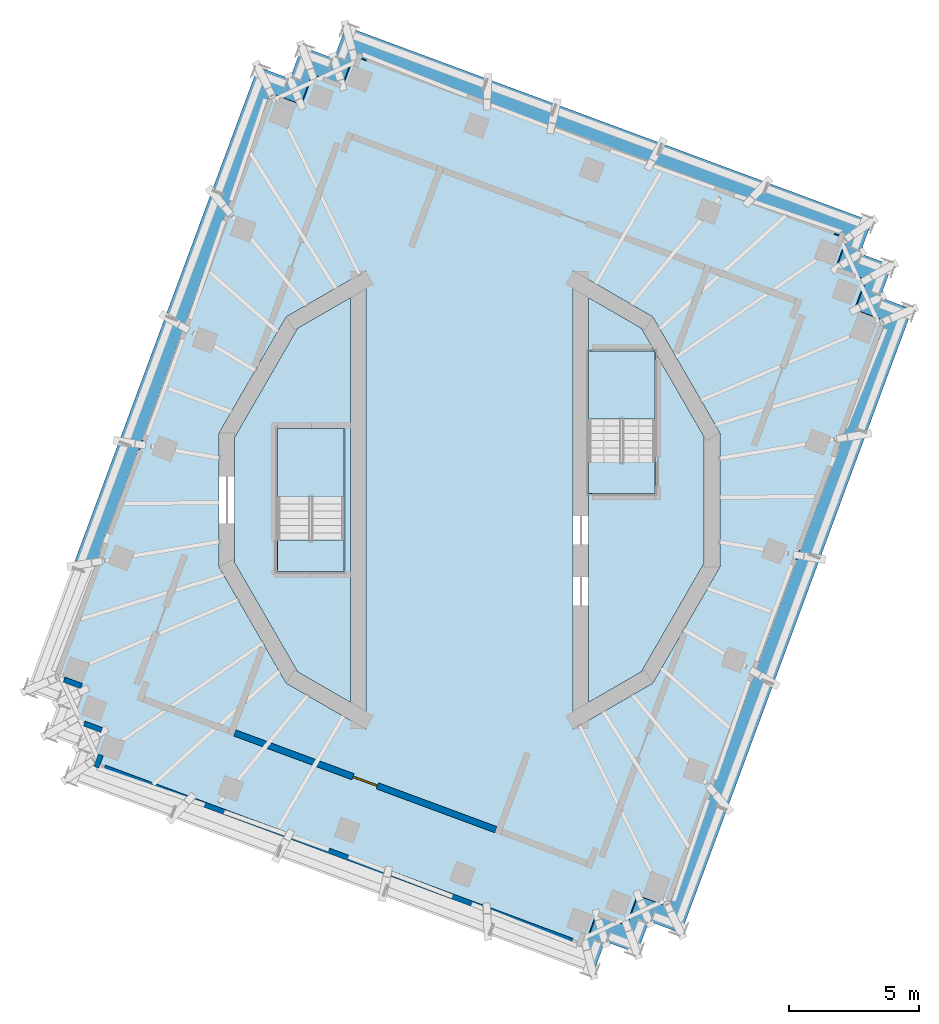
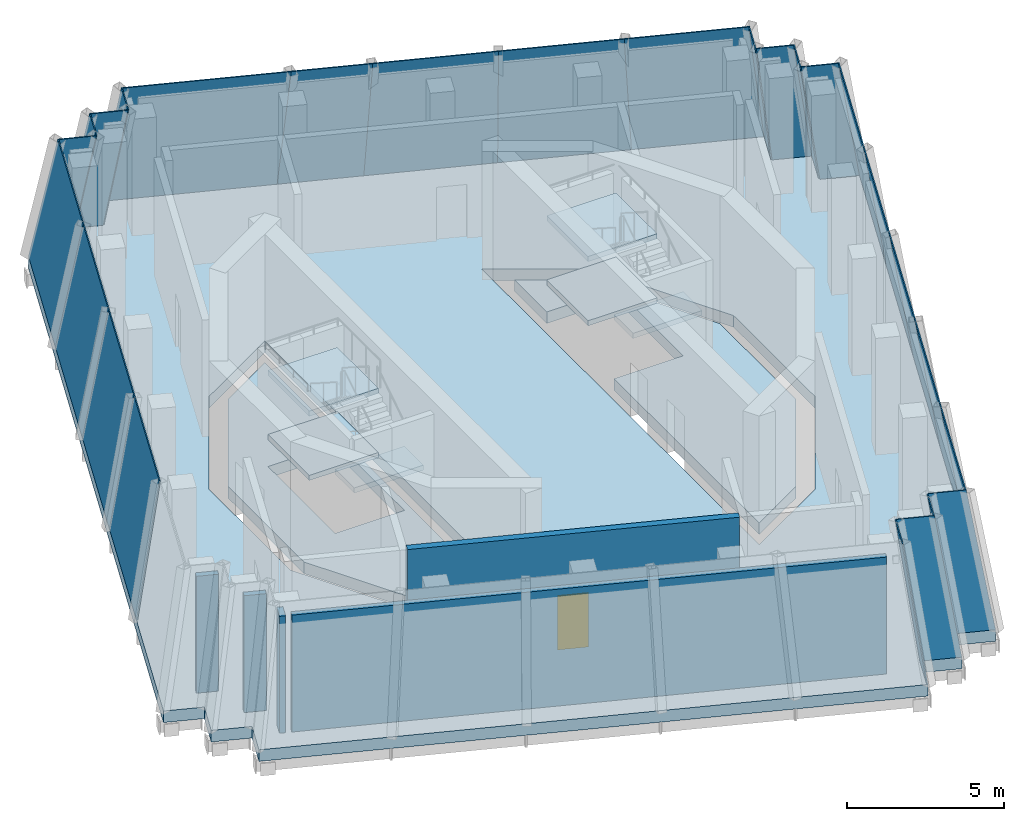
# One storey, part 4 of 13: 26 plates, 10 slabs, 5 walls, 1 door, 1 opening, 28 elements without a shape of their own.
"""IFC4 building model written with IfcOpenShell, lengths in metres."""

import ifcopenshell
import ifcopenshell.guid

model = None  # the IFC model being written
_history = None  # IfcOwnerHistory: only IFC2X3 demands one
_inside = {}  # id of a spatial element -> (the spatial element, [elements in it])
_under = {}  # id of a project, library or spatial element -> (it, [spatial elements below it])
_declared = {}  # id of a project -> (the project, [libraries it declares])
_typed = {}  # id of a type object -> (the type object, [elements of that type])
_made_of = {}  # id of a material, layer set ... -> (it, [elements and type objects made of it])


def new_model(schema):
    """Start an empty IFC model of exactly this schema.

    Asked for "IFC4X3", IfcOpenShell would pick the latest addendum, in which some entities
    have other attributes; the version numbers below select the first issue.
    IFC2X3 requires an IfcOwnerHistory on every rooted entity: one is made here for all.
    """
    global model, _history
    if schema == "IFC4X3":
        model = ifcopenshell.file(schema_version=(4, 3, 0, 0))
    else:
        model = ifcopenshell.file(schema=schema)
    _inside.clear()
    _under.clear()
    _declared.clear()
    _typed.clear()
    _made_of.clear()
    _history = None
    if model.schema == "IFC2X3":
        org = make("IfcOrganization", Name="unknown")
        user = make(
            "IfcPersonAndOrganization",
            ThePerson=make("IfcPerson", FamilyName="unknown"),
            TheOrganization=org,
        )
        app = make(
            "IfcApplication",
            ApplicationDeveloper=org,
            Version="unknown",
            ApplicationFullName="unknown",
            ApplicationIdentifier="unknown",
        )
        _history = make(
            "IfcOwnerHistory",
            OwningUser=user,
            OwningApplication=app,
            ChangeAction="ADDED",
            CreationDate=0,
        )
    return model


def make(cls, **values):
    """One entity of the class cls with the attributes given. An attribute that is None is left unset."""
    return model.create_entity(
        cls, **{name: value for name, value in values.items() if value is not None}
    )


def rooted(cls, **values):
    """An entity with a GlobalId (a new one), such as an element, a storey or a relation."""
    return make(cls, GlobalId=ifcopenshell.guid.new(), OwnerHistory=_history, **values)


def si_unit(unit_type, name, prefix=None):
    """IfcSIUnit, for example si_unit("LENGTHUNIT", "METRE", prefix="MILLI")."""
    return make("IfcSIUnit", UnitType=unit_type, Prefix=prefix, Name=name)


def assignment(units):
    """IfcUnitAssignment: the units of a project."""
    return None if units is None else make("IfcUnitAssignment", Units=units)


def point(xyz):
    """IfcCartesianPoint."""
    return None if xyz is None else make("IfcCartesianPoint", Coordinates=xyz)


def direction(xyz):
    """IfcDirection."""
    return None if xyz is None else make("IfcDirection", DirectionRatios=xyz)


def frame(location, z_axis=None, x_axis=None):
    """IfcAxis2Placement3D, a coordinate frame: its origin and axes. An axis left out is left unset."""
    return make(
        "IfcAxis2Placement3D",
        Location=point(location),
        Axis=direction(z_axis),
        RefDirection=direction(x_axis),
    )


def frame_2d(location, x_axis=None):
    """IfcAxis2Placement2D, a coordinate frame in the plane: its origin and x axis."""
    return make(
        "IfcAxis2Placement2D", Location=point(location), RefDirection=direction(x_axis)
    )


def origin():
    """The frame at (0, 0, 0) with its axes left unset."""
    return frame((0.0, 0.0, 0.0))


def place(relative_to, where):
    """IfcLocalPlacement: puts the frame where relative to a parent placement (None: the world)."""
    return make(
        "IfcLocalPlacement", PlacementRelTo=relative_to, RelativePlacement=where
    )


def context(
    kind, dimensions, precision=None, world=None, true_north=None, identifier=None
):
    """IfcGeometricRepresentationContext, for example the 3D "Model" context."""
    return make(
        "IfcGeometricRepresentationContext",
        ContextIdentifier=identifier,
        ContextType=kind,
        CoordinateSpaceDimension=dimensions,
        Precision=precision,
        WorldCoordinateSystem=world,
        TrueNorth=true_north,
    )


def subcontext(parent, identifier, kind, view, scale=None):
    """IfcGeometricRepresentationSubContext, for example "Body" below "Model"."""
    return make(
        "IfcGeometricRepresentationSubContext",
        ContextIdentifier=identifier,
        ContextType=kind,
        ParentContext=parent,
        TargetScale=scale,
        TargetView=view,
    )


def project(units=None, contexts=None):
    """IfcProject with its units and contexts."""
    return rooted(
        "IfcProject",
        Name="project",
        RepresentationContexts=contexts,
        UnitsInContext=assignment(units),
    )


def spatial(cls, under=None, at=None, **own):
    """A site, building, storey or space (cls), placed at a placement, below another one or the project."""
    s = rooted(cls, ObjectPlacement=at, **own)
    if under is not None:
        _under.setdefault(under.id(), (under, []))[1].append(s)
    return s


def polyline(points):
    """IfcPolyline through the points."""
    return make("IfcPolyline", Points=[point(p) for p in points])


def profile(cls, at=None, kind="AREA", **sizes):
    """A parametric profile (cls). Its sizes go by their IFC names, for example OverallWidth=200.0."""
    return make(cls, ProfileType=kind, Position=at, **sizes)


def rectangle(**sizes):
    """IfcRectangleProfileDef."""
    return profile("IfcRectangleProfileDef", **sizes)


def outline(outer, holes=None, kind="AREA"):
    """IfcArbitraryClosedProfileDef: a profile drawn as a closed curve; with holes, ...WithVoids."""
    if holes is None:
        return make("IfcArbitraryClosedProfileDef", ProfileType=kind, OuterCurve=outer)
    return make(
        "IfcArbitraryProfileDefWithVoids",
        ProfileType=kind,
        OuterCurve=outer,
        InnerCurves=holes,
    )


def extrude(swept, where, along, depth):
    """IfcExtrudedAreaSolid: the profile swept, set in the frame where, extruded along a direction by depth."""
    return make(
        "IfcExtrudedAreaSolid",
        SweptArea=swept,
        Position=where,
        ExtrudedDirection=direction(along),
        Depth=depth,
    )


def shape(context_of_items, identifier, shape_type, items):
    """IfcShapeRepresentation: the items that make up one representation, for example the "Body"."""
    return make(
        "IfcShapeRepresentation",
        ContextOfItems=context_of_items,
        RepresentationIdentifier=identifier,
        RepresentationType=shape_type,
        Items=items,
    )


def material(Name=None, Category=None):
    """IfcMaterial."""
    return make("IfcMaterial", Name=Name, Category=Category)


def layer(
    of_material, thickness, ventilated=None, Name=None, Category=None, Priority=None
):
    """IfcMaterialLayer: one layer of a wall or slab, of a material (None: an air gap)."""
    return make(
        "IfcMaterialLayer",
        Material=of_material,
        LayerThickness=thickness,
        IsVentilated=ventilated,
        Name=Name,
        Category=Category,
        Priority=Priority,
    )


def layer_set(layers, Name=None):
    """IfcMaterialLayerSet."""
    return make("IfcMaterialLayerSet", MaterialLayers=layers, LayerSetName=Name)


def made_of(thing, what):
    """Note that an element or type object is made of a material, layer set ...; save() writes the relation."""
    if what is not None:
        _made_of.setdefault(what.id(), (what, []))[1].append(thing)
    return thing


def type_object(cls, material=None, **own):
    """A type object (cls), such as IfcWallType, which elements share."""
    return made_of(rooted(cls, **own), material)


def element(
    cls,
    number,
    at=None,
    inside=None,
    cuts=None,
    type_object=None,
    material=None,
    context=None,
    identifier="Body",
    shape_type=None,
    held_by="IfcProductDefinitionShape",
    body=None,
    shapes=None,
    **own,
):
    """One element of the class cls, such as IfcWall. Its Tag is "e" and its number.

    at: its placement. inside: the storey or other place that contains it. cuts: it is an
    opening in that element (IfcRelVoidsElement). A single representation is given by context,
    identifier, shape_type and body (its items); several are given by shapes. held_by: the class
    of the entity that holds the representations. save() writes the other relations.
    """
    e = rooted(cls, Tag="e%d" % number, ObjectPlacement=at, **own)
    if body is not None:
        shapes = [shape(context, identifier, shape_type, body)]
    if shapes is not None:
        e.Representation = make(held_by, Representations=shapes)
    if inside is not None:
        _inside.setdefault(inside.id(), (inside, []))[1].append(e)
    if cuts is not None:
        rooted(
            "IfcRelVoidsElement", RelatingBuildingElement=cuts, RelatedOpeningElement=e
        )
    if type_object is not None:
        _typed.setdefault(type_object.id(), (type_object, []))[1].append(e)
    return made_of(e, material)


def fill(opening, filler):
    """IfcRelFillsElement: the door or window that sits in an opening."""
    return rooted(
        "IfcRelFillsElement",
        RelatingOpeningElement=opening,
        RelatedBuildingElement=filler,
    )


def aggregate(whole, parts):
    """IfcRelAggregates: a whole, such as a stair, and the parts it consists of."""
    return rooted("IfcRelAggregates", RelatingObject=whole, RelatedObjects=parts)


def save(model, path):
    """Write the relations noted so far, then the file.

    IfcRelAggregates (storeys below a building ...), IfcRelContainedInSpatialStructure (elements
    in a storey), IfcRelDefinesByType, IfcRelAssociatesMaterial and IfcRelDeclares: one each for
    every whole, place, type object, material and project.
    """
    for whole, parts in _under.values():
        aggregate(whole, parts)
    for where, things in _inside.values():
        rooted(
            "IfcRelContainedInSpatialStructure",
            RelatedElements=things,
            RelatingStructure=where,
        )
    for kind, things in _typed.values():
        rooted("IfcRelDefinesByType", RelatedObjects=things, RelatingType=kind)
    for what, things in _made_of.values():
        rooted("IfcRelAssociatesMaterial", RelatedObjects=things, RelatingMaterial=what)
    for by, libraries in _declared.values():
        rooted("IfcRelDeclares", RelatingContext=by, RelatedDefinitions=libraries)
    model.write(path)


model = new_model("IFC4")

# Units and contexts
model_context = context("Model", 3, precision=1e-05, world=origin(), true_north=direction((0.0, 1.0)))
body_context = subcontext(model_context, "Body", "Model", "MODEL_VIEW")
ifc_project = project(units=[si_unit("LENGTHUNIT", "METRE"), si_unit("AREAUNIT", "SQUARE_METRE"), si_unit("VOLUMEUNIT", "CUBIC_METRE"), si_unit("PLANEANGLEUNIT", "RADIAN"), si_unit("MASSUNIT", "GRAM", prefix="KILO")], contexts=[model_context])

# Site, building, storey
site_placement = place(None, origin())
site = spatial("IfcSite", under=ifc_project, at=site_placement, CompositionType="ELEMENT")
building_placement = place(site_placement, origin())
building = spatial("IfcBuilding", under=site, at=building_placement, Name="Cantera Rosa Tower", CompositionType="ELEMENT")
storey_placement = place(building_placement, frame((0.0, 0.0, 355.699951171875)))
storey = spatial("IfcBuildingStorey", under=building, at=storey_placement, Name="L80", CompositionType="ELEMENT", Elevation=355.699951171875)

# Curtain wall, plate
ifc_material_1 = material(Name="Aluminium frame with clear glass", Category="aluminium")
curtain_wall_type = type_object("IfcCurtainWallType", Name="CW4 CROWN GLAZING", PredefinedType="NOTDEFINED", material=ifc_material_1)
curtain_wall_1_placement = place(storey_placement, origin())
curtain_wall_1 = element("IfcCurtainWall", 1, at=curtain_wall_1_placement, inside=storey, type_object=curtain_wall_type, Name="CW4 L80-01", PredefinedType="NOTDEFINED")
ifc_material_2 = material(Name="Aluminium frame with clear glass", Category="aluminium")
ifc_layer_1 = layer(ifc_material_2, 0.0400390625)
ifc_layer_set_1 = layer_set([ifc_layer_1], Name="CW-PANEL CROWN 40")
plate_type = type_object("IfcPlateType", Name="CW-PANEL CROWN 40", PredefinedType="CURTAIN_PANEL", material=ifc_layer_set_1)
plate_1_placement = place(storey_placement, frame((15.527587890625, 10.75146484375, 0.0), z_axis=(0.341524387107, 0.92161003131, 0.184380159453), x_axis=(-0.937686834542, 0.347481510759, 2.578667e-06)))
plate_1 = element("IfcPlate", 2, at=plate_1_placement, type_object=plate_type, Name="CROWN GLAZING L80-01", PredefinedType="CURTAIN_PANEL", context=body_context, shape_type="SweptSolid", body=[
    extrude(outline(polyline([(0.0, 0.0), (4.329583847876263, 0.0), (4.7232870884310865, 5.087207986211068), (0.6561053237412898, 5.087230016379822), (0.0, 0.0)])), origin(), (0.0, 0.0, -1.0), 0.0400390625),
])
aggregate(curtain_wall_1, [plate_1])

curtain_wall_2_placement = place(storey_placement, origin())
curtain_wall_2 = element("IfcCurtainWall", 3, at=curtain_wall_2_placement, inside=storey, type_object=curtain_wall_type, Name="CW4 L80-02", PredefinedType="NOTDEFINED")
plate_2_placement = place(storey_placement, frame((11.4677734375, 12.255859375, 0.0), z_axis=(0.341525912204, 0.921614146814, 0.184356761977), x_axis=(-0.9376868345, 0.347481510874, 2.578351e-06)))
plate_2 = element("IfcPlate", 4, at=plate_2_placement, type_object=plate_type, Name="CROWN GLAZING L80-02", PredefinedType="CURTAIN_PANEL", context=body_context, shape_type="SweptSolid", body=[
    extrude(outline(polyline([(0.0, 0.0), (4.329583847876259, 5.551115123125783e-17), (4.460885003550918, 5.087185958968972), (0.39370323886110964, 5.0872079863421416), (0.0, 0.0)])), origin(), (0.0, 0.0, -1.0), 0.0400390625),
])
aggregate(curtain_wall_2, [plate_2])

curtain_wall_3_placement = place(storey_placement, origin())
curtain_wall_3 = element("IfcCurtainWall", 5, at=curtain_wall_3_placement, inside=storey, type_object=curtain_wall_type, Name="CW4 L80-03", PredefinedType="NOTDEFINED")
plate_3_placement = place(storey_placement, frame((7.407958984375, 13.76025390625, 0.0), z_axis=(0.341524603784, 0.921610616017, 0.184376835462), x_axis=(-0.937686209932, 0.347483196217, -7.003054e-06)))
plate_3 = element("IfcPlate", 6, at=plate_3_placement, type_object=plate_type, Name="CROWN GLAZING L80-03", PredefinedType="CURTAIN_PANEL", context=body_context, shape_type="SweptSolid", body=[
    extrude(outline(polyline([(0.0, 0.0), (4.329668682435224, 0.0), (4.198348493039485, 5.087247065155372), (0.13125156309289582, 5.087187236422573), (0.0, 0.0)])), origin(), (0.0, 0.0, -1.0), 0.0400390625),
])
aggregate(curtain_wall_3, [plate_3])

curtain_wall_4_placement = place(storey_placement, origin())
curtain_wall_4 = element("IfcCurtainWall", 7, at=curtain_wall_4_placement, inside=storey, type_object=curtain_wall_type, Name="CW4 L80-04", PredefinedType="NOTDEFINED")
plate_4_placement = place(storey_placement, frame((3.34814453125, 15.264892578125, 0.0), z_axis=(0.341530026043, 0.92160224963, 0.184408608225), x_axis=(-0.93768383653, 0.347489600866, -6.9255e-08)))
plate_4 = element("IfcPlate", 8, at=plate_4_placement, type_object=plate_type, Name="CROWN GLAZING L80-04", PredefinedType="CURTAIN_PANEL", context=body_context, shape_type="SweptSolid", body=[
    extrude(outline(polyline([(0.0, 0.0), (2.8075227671791056, 2.7755575615628914e-17), (2.5062113008381584, 5.087248180936371), (-0.1312919280929521, 5.087247797260858), (0.0, 0.0)])), origin(), (0.0, 0.0, -1.0), 0.0400390625),
])
aggregate(curtain_wall_4, [plate_4])

curtain_wall_5_placement = place(storey_placement, origin())
curtain_wall_5 = element("IfcCurtainWall", 9, at=curtain_wall_5_placement, inside=storey, type_object=curtain_wall_type, Name="CW4 L80-05", PredefinedType="NOTDEFINED")
plate_5_placement = place(storey_placement, frame((0.715576171875, 16.240478515625, 0.0), z_axis=(0.341512958947, 0.921611370393, 0.184394633419), x_axis=(-0.937690782112, 0.347470857967, 2.494614e-06)))
plate_5 = element("IfcPlate", 10, at=plate_5_placement, type_object=plate_type, Name="CROWN GLAZING L80-05", PredefinedType="CURTAIN_PANEL", context=body_context, shape_type="SweptSolid", body=[
    extrude(outline(polyline([(0.0, 0.0), (5.851644929958998, 5.551115123125783e-17), (5.195809332286428, 5.087221245502611), (-0.3012798951208974, 5.087250050146829), (0.0, 0.0)])), origin(), (0.0, 0.0, -1.0), 0.0400390625),
])
aggregate(curtain_wall_5, [plate_5])

curtain_wall_6_placement = place(storey_placement, origin())
curtain_wall_6 = element("IfcCurtainWall", 11, at=curtain_wall_6_placement, inside=storey, type_object=curtain_wall_type, Name="CW4 L80-06", PredefinedType="NOTDEFINED")
plate_6_placement = place(storey_placement, frame((-4.771484375, 18.273681640625, 0.0), z_axis=(-0.929716822848, 0.344542672883, 0.130065275443), x_axis=(-0.347494803307, -0.937681908575, -2.56327e-06)))
plate_6 = element("IfcPlate", 12, at=plate_6_placement, type_object=plate_type, Name="CROWN GLAZING L80-06", PredefinedType="CURTAIN_PANEL", context=body_context, shape_type="SweptSolid", body=[
    extrude(outline(polyline([(0.0, 0.0), (1.320065920870838, -1.3877787807814457e-17), (2.1780630011684123, 5.042842343983364), (0.9379489244160788, 5.042835725328031), (0.0, 0.0)])), origin(), (0.0, 0.0, -1.0), 0.0400390625),
])
aggregate(curtain_wall_6, [plate_6])

curtain_wall_7_placement = place(storey_placement, origin())
curtain_wall_7 = element("IfcCurtainWall", 13, at=curtain_wall_7_placement, inside=storey, type_object=curtain_wall_type, Name="CW4 L80-07", PredefinedType="NOTDEFINED")
plate_7_placement = place(storey_placement, frame((-5.230224609375, 17.035888671875, 0.0), z_axis=(0.342519478269, 0.924163422156, 0.169122370357), x_axis=(-0.937670640681, 0.347525207144, 2.210906e-06)))
plate_7 = element("IfcPlate", 14, at=plate_7_placement, type_object=plate_type, Name="CROWN GLAZING L80-07", PredefinedType="CURTAIN_PANEL", context=body_context, shape_type="SweptSolid", body=[
    extrude(outline(polyline([(0.0, 0.0), (1.3200659210143884, -1.3877787807814457e-17), (0.5839439131504476, 5.073076061260619), (-0.6559412385904826, 5.073081803792066), (0.0, 0.0)])), origin(), (0.0, 0.0, -1.0), 0.0400390625),
])
aggregate(curtain_wall_7, [plate_7])

curtain_wall_8_placement = place(storey_placement, origin())
curtain_wall_8 = element("IfcCurtainWall", 15, at=curtain_wall_8_placement, inside=storey, type_object=curtain_wall_type, Name="CW4 L80-08", PredefinedType="NOTDEFINED")
plate_8_placement = place(storey_placement, frame((-6.468017578125, 17.49462890625, 0.0), z_axis=(-0.927670925215, 0.343819451941, 0.145653146133), x_axis=(-0.347525299025, -0.937670606628, 1.911324e-06)))
plate_8 = element("IfcPlate", 16, at=plate_8_placement, type_object=plate_type, Name="CROWN GLAZING L80-08", PredefinedType="CURTAIN_PANEL", context=body_context, shape_type="SweptSolid", body=[
    extrude(outline(polyline([(0.0, 0.0), (1.3200659210135304, -1.3877787807814457e-17), (2.0978482763184743, 5.05389212599685), (0.8579631245750227, 5.053897071633375), (0.0, 0.0)])), origin(), (0.0, 0.0, -1.0), 0.0400390625),
])
aggregate(curtain_wall_8, [plate_8])

curtain_wall_9_placement = place(storey_placement, origin())
curtain_wall_9 = element("IfcCurtainWall", 17, at=curtain_wall_9_placement, inside=storey, type_object=curtain_wall_type, Name="CW4 L80-09", PredefinedType="NOTDEFINED")
plate_9_placement = place(storey_placement, frame((-6.9267578125, 16.2568359375, 0.0), z_axis=(0.343310307428, 0.926551452823, 0.153754473382), x_axis=(-0.937700429773, 0.347444820869, -2.1337465e-05)))
plate_9 = element("IfcPlate", 18, at=plate_9_placement, type_object=plate_type, Name="CROWN GLAZING L80-09", PredefinedType="CURTAIN_PANEL", context=body_context, shape_type="SweptSolid", body=[
    extrude(outline(polyline([(0.0, 0.0), (1.3198369865554143, 1.3877787807814457e-17), (0.5038911690264638, 5.060180939339118), (-0.7361380817109822, 5.0601256609735765), (0.0, 0.0)])), origin(), (0.0, 0.0, -1.0), 0.0400390625),
])
aggregate(curtain_wall_9, [plate_9])

curtain_wall_10_placement = place(storey_placement, origin())
curtain_wall_10 = element("IfcCurtainWall", 19, at=curtain_wall_10_placement, inside=storey, type_object=curtain_wall_type, Name="CW4 L80-10", PredefinedType="NOTDEFINED")
plate_10_placement = place(storey_placement, frame((-8.164306640625, 16.715576171875, 0.0), z_axis=(-0.92544207914, 0.342951684525, 0.161062411003), x_axis=(-0.347488841116, -0.937684118076, -2.779999e-06)))
plate_10 = element("IfcPlate", 20, at=plate_10_placement, type_object=plate_type, Name="CROWN GLAZING L80-10", PredefinedType="CURTAIN_PANEL", context=body_context, shape_type="SweptSolid", body=[
    extrude(outline(polyline([(0.0, 0.0), (5.134961454202503, 0.0), (5.601652009100558, 5.066158203202152), (0.7781542391447606, 5.066130152472176), (0.0, 0.0)])), origin(), (0.0, 0.0, -1.0), 0.0400390625),
])
aggregate(curtain_wall_10, [plate_10])

curtain_wall_11_placement = place(storey_placement, origin())
curtain_wall_11 = element("IfcCurtainWall", 21, at=curtain_wall_11_placement, inside=storey, type_object=curtain_wall_type, Name="CW4 L80-11", PredefinedType="NOTDEFINED")
plate_11_placement = place(storey_placement, frame((-9.94873046875, 11.900634765625, 0.0), z_axis=(-0.925444009041, 0.342937169978, 0.161082226142), x_axis=(-0.347474942537, -0.937689268526, -6.19535e-07)))
plate_11 = element("IfcPlate", 22, at=plate_11_placement, type_object=plate_type, Name="CROWN GLAZING L80-11", PredefinedType="CURTAIN_PANEL", context=body_context, shape_type="SweptSolid", body=[
    extrude(outline(polyline([(0.0, 0.0), (5.134647691567014, 0.0), (5.290211223705633, 5.066162345597693), (0.4667134528984506, 5.066156094540776), (0.0, 0.0)])), origin(), (0.0, 0.0, -1.0), 0.0400390625),
])
aggregate(curtain_wall_11, [plate_11])

curtain_wall_12_placement = place(storey_placement, origin())
curtain_wall_12 = element("IfcCurtainWall", 23, at=curtain_wall_12_placement, inside=storey, type_object=curtain_wall_type, Name="CW4 L80-12", PredefinedType="NOTDEFINED")
plate_12_placement = place(storey_placement, frame((-11.73291015625, 7.0859375, 0.0), z_axis=(-0.925442485218, 0.342951835011, 0.161059757281), x_axis=(-0.347487756687, -0.937684519939, 4.30674e-06)))
plate_12 = element("IfcPlate", 24, at=plate_12_placement, type_object=plate_type, Name="CROWN GLAZING L80-12", PredefinedType="CURTAIN_PANEL", context=body_context, shape_type="SweptSolid", body=[
    extrude(outline(polyline([(0.0, 0.0), (5.134876618192029, 0.0), (4.979159616989351, 5.066118474043127), (0.15557701107838792, 5.066161929868029), (0.0, 0.0)])), origin(), (0.0, 0.0, -1.0), 0.0400390625),
])
aggregate(curtain_wall_12, [plate_12])

curtain_wall_13_placement = place(storey_placement, origin())
curtain_wall_13 = element("IfcCurtainWall", 25, at=curtain_wall_13_placement, inside=storey, type_object=curtain_wall_type, Name="CW4 L80-13", PredefinedType="NOTDEFINED")
plate_13_placement = place(storey_placement, frame((-13.51708984375, 2.27099609375, 0.0), z_axis=(-0.925452481033, 0.342931343173, 0.161045953747), x_axis=(-0.347467161731, -0.937692151783, -1.973399e-06)))
plate_13 = element("IfcPlate", 26, at=plate_13_placement, type_object=plate_type, Name="CROWN GLAZING L80-13", PredefinedType="CURTAIN_PANEL", context=body_context, shape_type="SweptSolid", body=[
    extrude(outline(polyline([(0.0, 0.0), (5.134647691219501, 0.0), (4.6679962158167045, 5.066137972843688), (-0.15573048373402898, 5.066118061083357), (0.0, 0.0)])), origin(), (0.0, 0.0, -1.0), 0.0400390625),
])
aggregate(curtain_wall_13, [plate_13])

curtain_wall_14_placement = place(storey_placement, origin())
curtain_wall_14 = element("IfcCurtainWall", 27, at=curtain_wall_14_placement, inside=storey, type_object=curtain_wall_type, Name="CW4 L80-24", PredefinedType="NOTDEFINED")
plate_14_placement = place(storey_placement, frame((4.771484375, -18.273681640625, 0.0), z_axis=(0.929716822848, -0.344542672883, 0.130065275443), x_axis=(0.347494803307, 0.937681908575, -2.56327e-06)))
plate_14 = element("IfcPlate", 28, at=plate_14_placement, type_object=plate_type, Name="CROWN GLAZING L80-24", PredefinedType="CURTAIN_PANEL", context=body_context, shape_type="SweptSolid", body=[
    extrude(outline(polyline([(0.0, 0.0), (1.320065920870838, -1.3877787807814457e-17), (2.1780630011684123, 5.042842343983364), (0.9379489244160788, 5.042835725328031), (0.0, 0.0)])), origin(), (0.0, 0.0, -1.0), 0.0400390625),
])
aggregate(curtain_wall_14, [plate_14])

curtain_wall_15_placement = place(storey_placement, origin())
curtain_wall_15 = element("IfcCurtainWall", 29, at=curtain_wall_15_placement, inside=storey, type_object=curtain_wall_type, Name="CW4 L80-25", PredefinedType="NOTDEFINED")
plate_15_placement = place(storey_placement, frame((5.230224609375, -17.035888671875, 0.0), z_axis=(-0.342519478269, -0.924163422156, 0.169122370357), x_axis=(0.937670640681, -0.347525207144, 2.210906e-06)))
plate_15 = element("IfcPlate", 30, at=plate_15_placement, type_object=plate_type, Name="CROWN GLAZING L80-25", PredefinedType="CURTAIN_PANEL", context=body_context, shape_type="SweptSolid", body=[
    extrude(outline(polyline([(0.0, 0.0), (1.3200659210143884, -1.3877787807814457e-17), (0.5839439131504476, 5.073076061260619), (-0.6559412385904826, 5.073081803792066), (0.0, 0.0)])), origin(), (0.0, 0.0, -1.0), 0.0400390625),
])
aggregate(curtain_wall_15, [plate_15])

curtain_wall_16_placement = place(storey_placement, origin())
curtain_wall_16 = element("IfcCurtainWall", 31, at=curtain_wall_16_placement, inside=storey, type_object=curtain_wall_type, Name="CW4 L80-26", PredefinedType="NOTDEFINED")
plate_16_placement = place(storey_placement, frame((6.468017578125, -17.49462890625, 0.0), z_axis=(0.927670925215, -0.343819451941, 0.145653146133), x_axis=(0.347525299025, 0.937670606628, 1.911324e-06)))
plate_16 = element("IfcPlate", 32, at=plate_16_placement, type_object=plate_type, Name="CROWN GLAZING L80-26", PredefinedType="CURTAIN_PANEL", context=body_context, shape_type="SweptSolid", body=[
    extrude(outline(polyline([(0.0, 0.0), (1.3200659210135304, -1.3877787807814457e-17), (2.0978482763184743, 5.05389212599685), (0.8579631245750227, 5.053897071633375), (0.0, 0.0)])), origin(), (0.0, 0.0, -1.0), 0.0400390625),
])
aggregate(curtain_wall_16, [plate_16])

curtain_wall_17_placement = place(storey_placement, origin())
curtain_wall_17 = element("IfcCurtainWall", 33, at=curtain_wall_17_placement, inside=storey, type_object=curtain_wall_type, Name="CW4 L80-27", PredefinedType="NOTDEFINED")
plate_17_placement = place(storey_placement, frame((6.9267578125, -16.2568359375, 0.0), z_axis=(-0.343310307428, -0.926551452823, 0.153754473382), x_axis=(0.937700429773, -0.347444820869, -2.1337465e-05)))
plate_17 = element("IfcPlate", 34, at=plate_17_placement, type_object=plate_type, Name="CROWN GLAZING L80-27", PredefinedType="CURTAIN_PANEL", context=body_context, shape_type="SweptSolid", body=[
    extrude(outline(polyline([(0.0, 0.0), (1.3198369865554143, 1.3877787807814457e-17), (0.5038911690264638, 5.060180939339118), (-0.7361380817109822, 5.0601256609735765), (0.0, 0.0)])), origin(), (0.0, 0.0, -1.0), 0.0400390625),
])
aggregate(curtain_wall_17, [plate_17])

curtain_wall_18_placement = place(storey_placement, origin())
curtain_wall_18 = element("IfcCurtainWall", 35, at=curtain_wall_18_placement, inside=storey, type_object=curtain_wall_type, Name="CW4 L80-28", PredefinedType="NOTDEFINED")
plate_18_placement = place(storey_placement, frame((8.164306640625, -16.715576171875, 0.0), z_axis=(0.92544207914, -0.342951684525, 0.161062411003), x_axis=(0.347488841116, 0.937684118076, -2.779999e-06)))
plate_18 = element("IfcPlate", 36, at=plate_18_placement, type_object=plate_type, Name="CROWN GLAZING L80-28", PredefinedType="CURTAIN_PANEL", context=body_context, shape_type="SweptSolid", body=[
    extrude(outline(polyline([(0.0, 0.0), (5.134961454202503, 0.0), (5.601652009100558, 5.066158203202152), (0.7781542391447606, 5.066130152472176), (0.0, 0.0)])), origin(), (0.0, 0.0, -1.0), 0.0400390625),
])
aggregate(curtain_wall_18, [plate_18])

curtain_wall_19_placement = place(storey_placement, origin())
curtain_wall_19 = element("IfcCurtainWall", 37, at=curtain_wall_19_placement, inside=storey, type_object=curtain_wall_type, Name="CW4 L80-29", PredefinedType="NOTDEFINED")
plate_19_placement = place(storey_placement, frame((9.94873046875, -11.900634765625, 0.0), z_axis=(0.925444009041, -0.342937169978, 0.161082226142), x_axis=(0.347474942537, 0.937689268526, -6.19535e-07)))
plate_19 = element("IfcPlate", 38, at=plate_19_placement, type_object=plate_type, Name="CROWN GLAZING L80-29", PredefinedType="CURTAIN_PANEL", context=body_context, shape_type="SweptSolid", body=[
    extrude(outline(polyline([(0.0, 0.0), (5.134647691567014, 0.0), (5.290211223705633, 5.066162345597693), (0.4667134528984506, 5.066156094540776), (0.0, 0.0)])), origin(), (0.0, 0.0, -1.0), 0.0400390625),
])
aggregate(curtain_wall_19, [plate_19])

curtain_wall_20_placement = place(storey_placement, origin())
curtain_wall_20 = element("IfcCurtainWall", 39, at=curtain_wall_20_placement, inside=storey, type_object=curtain_wall_type, Name="CW4 L80-30", PredefinedType="NOTDEFINED")
plate_20_placement = place(storey_placement, frame((11.73291015625, -7.0859375, 0.0), z_axis=(0.925442485218, -0.342951835011, 0.161059757281), x_axis=(0.347487756687, 0.937684519939, 4.30674e-06)))
plate_20 = element("IfcPlate", 40, at=plate_20_placement, type_object=plate_type, Name="CROWN GLAZING L80-30", PredefinedType="CURTAIN_PANEL", context=body_context, shape_type="SweptSolid", body=[
    extrude(outline(polyline([(0.0, 0.0), (5.134876618192029, 0.0), (4.979159616989351, 5.066118474043127), (0.15557701107838792, 5.066161929868029), (0.0, 0.0)])), origin(), (0.0, 0.0, -1.0), 0.0400390625),
])
aggregate(curtain_wall_20, [plate_20])

curtain_wall_21_placement = place(storey_placement, origin())
curtain_wall_21 = element("IfcCurtainWall", 41, at=curtain_wall_21_placement, inside=storey, type_object=curtain_wall_type, Name="CW4 L80-31", PredefinedType="NOTDEFINED")
plate_21_placement = place(storey_placement, frame((13.51708984375, -2.27099609375, 0.0), z_axis=(0.925452481033, -0.342931343173, 0.161045953747), x_axis=(0.347467161731, 0.937692151783, -1.973399e-06)))
plate_21 = element("IfcPlate", 42, at=plate_21_placement, type_object=plate_type, Name="CROWN GLAZING L80-31", PredefinedType="CURTAIN_PANEL", context=body_context, shape_type="SweptSolid", body=[
    extrude(outline(polyline([(0.0, 0.0), (5.134647691219501, 0.0), (4.6679962158167045, 5.066137972843688), (-0.15573048373402898, 5.066118061083357), (0.0, 0.0)])), origin(), (0.0, 0.0, -1.0), 0.0400390625),
])
aggregate(curtain_wall_21, [plate_21])

curtain_wall_22_placement = place(storey_placement, origin())
curtain_wall_22 = element("IfcCurtainWall", 43, at=curtain_wall_22_placement, inside=storey, type_object=curtain_wall_type, Name="CW4 L80-32", PredefinedType="NOTDEFINED")
plate_22_placement = place(storey_placement, frame((15.30126953125, 2.543701171875, 0.0), z_axis=(0.925440395238, -0.342951060503, 0.161073414819), x_axis=(0.347488841174, 0.937684118055, -2.780184e-06)))
plate_22 = element("IfcPlate", 44, at=plate_22_placement, type_object=plate_type, Name="CROWN GLAZING L80-32", PredefinedType="CURTAIN_PANEL", context=body_context, shape_type="SweptSolid", body=[
    extrude(outline(polyline([(0.0, 0.0), (5.1349614542025055, 0.0), (4.356823396070112, 5.066163915831085), (-0.466674373885678, 5.0661358631846785), (0.0, 0.0)])), origin(), (0.0, 0.0, -1.0), 0.0400390625),
])
aggregate(curtain_wall_22, [plate_22])

curtain_wall_23_placement = place(storey_placement, origin())
curtain_wall_23 = element("IfcCurtainWall", 45, at=curtain_wall_23_placement, inside=storey, type_object=curtain_wall_type, Name="CW4 L80-33", PredefinedType="NOTDEFINED")
plate_23_placement = place(storey_placement, frame((17.085693359375, 7.358642578125, 0.0), z_axis=(0.343391967421, 0.926517514732, 0.153776628934), x_axis=(-0.93767061784, 0.347525268772, 2.015414e-06)))
plate_23 = element("IfcPlate", 46, at=plate_23_placement, type_object=plate_type, Name="CROWN GLAZING L80-33", PredefinedType="CURTAIN_PANEL", context=body_context, shape_type="SweptSolid", body=[
    extrude(outline(polyline([(0.0, 0.0), (1.3200659210138128, -1.3877787807814457e-17), (2.055976794935892, 5.060183519779144), (0.816091643193271, 5.060188741247632), (0.0, 0.0)])), origin(), (0.0, 0.0, -1.0), 0.0400390625),
])
aggregate(curtain_wall_23, [plate_23])

curtain_wall_24_placement = place(storey_placement, origin())
curtain_wall_24 = element("IfcCurtainWall", 47, at=curtain_wall_24_placement, inside=storey, type_object=curtain_wall_type, Name="CW4 L80-34", PredefinedType="NOTDEFINED")
plate_24_placement = place(storey_placement, frame((15.847900390625, 7.8173828125, 0.0), z_axis=(0.927674881421, -0.343820918216, 0.145624484815), x_axis=(0.347526577352, 0.937670132818, -7.350322e-06)))
plate_24 = element("IfcPlate", 48, at=plate_24_placement, type_object=plate_type, Name="CROWN GLAZING L80-34", PredefinedType="CURTAIN_PANEL", context=body_context, shape_type="SweptSolid", body=[
    extrude(outline(polyline([(0.0, 0.0), (1.3198369975834208, 1.3877787807814457e-17), (0.4619554282078014, 5.053878058036418), (-0.7781586468998851, 5.053859038825428), (0.0, 0.0)])), origin(), (0.0, 0.0, -1.0), 0.0400390625),
])
aggregate(curtain_wall_24, [plate_24])

curtain_wall_25_placement = place(storey_placement, origin())
curtain_wall_25 = element("IfcCurtainWall", 49, at=curtain_wall_25_placement, inside=storey, type_object=curtain_wall_type, Name="CW4 L80-35", PredefinedType="NOTDEFINED")
plate_25_placement = place(storey_placement, frame((16.306640625, 9.054931640625, 0.0), z_axis=(0.342407039828, 0.924207637286, 0.169108433434), x_axis=(-0.937712008934, 0.347413569062, -1.821691e-05)))
plate_25 = element("IfcPlate", 50, at=plate_25_placement, type_object=plate_type, Name="CROWN GLAZING L80-35", PredefinedType="CURTAIN_PANEL", context=body_context, shape_type="SweptSolid", body=[
    extrude(outline(polyline([(0.0, 0.0), (1.3200659134679675, 1.3877787807814457e-17), (1.9760758482783376, 5.073101587059225), (0.7360465918379542, 5.073054268528643), (0.0, 0.0)])), origin(), (0.0, 0.0, -1.0), 0.0400390625),
])
aggregate(curtain_wall_25, [plate_25])

curtain_wall_26_placement = place(storey_placement, origin())
curtain_wall_26 = element("IfcCurtainWall", 51, at=curtain_wall_26_placement, inside=storey, type_object=curtain_wall_type, Name="CW4 L80-36", PredefinedType="NOTDEFINED")
plate_26_placement = place(storey_placement, frame((15.06884765625, 9.513671875, 0.0), z_axis=(0.929713099306, -0.34454129298, 0.130095543392), x_axis=(0.347494803454, 0.93768190852, -2.563856e-06)))
plate_26 = element("IfcPlate", 52, at=plate_26_placement, type_object=plate_type, Name="CROWN GLAZING L80-36", PredefinedType="CURTAIN_PANEL", context=body_context, shape_type="SweptSolid", body=[
    extrude(outline(polyline([(0.0, 0.0), (1.32006592087084, 0.0), (0.3820000056043993, 5.042857897760214), (-0.8581140711479286, 5.0428512775646315), (0.0, 0.0)])), origin(), (0.0, 0.0, -1.0), 0.0400390625),
])
aggregate(curtain_wall_26, [plate_26])

# Slabs
ifc_material_3 = material(Name="Concrete C50/60", Category="concrete")
ifc_layer_2 = layer(ifc_material_3, 0.449951171875)
ifc_layer_set_2 = layer_set([ifc_layer_2], Name="RC CROWN PLATE 450 C50/60")
slab_type_1 = type_object("IfcSlabType", Name="RC CROWN PLATE 450 C50/60", PredefinedType="FLOOR", material=ifc_layer_set_2)
slab_1_placement = place(storey_placement, frame((0.0, 0.0, -0.449951171875)))
element("IfcSlab", 53, at=slab_1_placement, inside=storey, type_object=slab_type_1, Name="SLAB L80 floor 1", PredefinedType="FLOOR", context=body_context, shape_type="SweptSolid", body=[
    extrude(outline(polyline([(-4.60009765625, -7.804931640625), (-6.6318359375, -6.6318359375), (-9.059326171875, -2.427490234375), (-9.059326171875, 2.427490234375), (-6.6318359375, 6.6318359375), (-4.60009765625, 7.804931640625), (-4.60009765625, -7.804931640625)]), holes=[polyline([(-7.39990234375, 2.75), (-7.39990234375, -1.5380859375), (-4.85009765625, -1.5380859375), (-4.85009765625, 2.75), (-7.39990234375, 2.75)])]), origin(), (0.0, 0.0, 1.0), 0.449951171875),
])
slab_2_placement = place(storey_placement, frame((0.0, 0.0, -0.449951171875)))
element("IfcSlab", 54, at=slab_2_placement, inside=storey, type_object=slab_type_1, Name="SLAB L80 floor 2", PredefinedType="FLOOR", context=body_context, shape_type="SweptSolid", body=[
    extrude(outline(polyline([(16.306640625, 9.054931640625), (15.847900390625, 7.8173828125), (17.085693359375, 7.358642578125), (8.164306640625, -16.715576171875), (6.9267578125, -16.2568359375), (6.468017578125, -17.49462890625), (5.230224609375, -17.035888671875), (4.771484375, -18.273681640625), (-15.527587890625, -10.75146484375), (-15.06884765625, -9.513671875), (-16.306640625, -9.054931640625), (-15.847900390625, -7.8173828125), (-17.085693359375, -7.358642578125), (-8.164306640625, 16.715576171875), (-6.9267578125, 16.2568359375), (-6.468017578125, 17.49462890625), (-5.230224609375, 17.035888671875), (-4.771484375, 18.273681640625), (15.527587890625, 10.75146484375), (15.06884765625, 9.513671875), (16.306640625, 9.054931640625)]), holes=[polyline([(-9.6591796875, -2.588134765625), (-7.071044921875, -7.071044921875), (-4.0, -8.843994140625), (-4.0, 8.843994140625), (-7.071044921875, 7.071044921875), (-9.6591796875, 2.588134765625), (-9.6591796875, -2.588134765625)]), polyline([(9.6591796875, 2.588134765625), (7.071044921875, 7.071044921875), (4.0, 8.843994140625), (4.0, -8.843994140625), (7.071044921875, -7.071044921875), (9.6591796875, -2.588134765625), (9.6591796875, 2.588134765625)])]), origin(), (0.0, 0.0, 1.0), 0.449951171875),
])
slab_3_placement = place(storey_placement, frame((0.0, 0.0, -0.449951171875)))
element("IfcSlab", 55, at=slab_3_placement, inside=storey, type_object=slab_type_1, Name="SLAB L80 floor 3", PredefinedType="FLOOR", context=body_context, shape_type="SweptSolid", body=[
    extrude(outline(polyline([(4.60009765625, 5.75), (4.60009765625, 7.804931640625), (6.6318359375, 6.6318359375), (7.14111328125, 5.75), (4.60009765625, 5.75)])), origin(), (0.0, 0.0, 1.0), 0.449951171875),
])
slab_4_placement = place(storey_placement, frame((0.0, 0.0, -0.449951171875)))
element("IfcSlab", 56, at=slab_4_placement, inside=storey, type_object=slab_type_1, Name="SLAB L80 floor 4", PredefinedType="FLOOR", context=body_context, shape_type="SweptSolid", body=[
    extrude(outline(polyline([(4.60009765625, 1.4619140625), (7.14990234375, 1.4619140625), (7.14990234375, 5.734375), (9.059326171875, 2.427490234375), (9.059326171875, -2.427490234375), (6.6318359375, -6.6318359375), (4.60009765625, -7.804931640625), (4.60009765625, 1.4619140625)])), origin(), (0.0, 0.0, 1.0), 0.449951171875),
])

# Stair, slabs
ifc_material_4 = material(Name="Concrete C35/45", Category="concrete")
stair_type = type_object("IfcStairType", Name="EXIT STAIR 1200 DOGLEG", PredefinedType="HALF_TURN_STAIR", material=ifc_material_4)
stair_1_placement = place(storey_placement, origin())
stair_1 = element("IfcStair", 57, at=stair_1_placement, inside=storey, type_object=stair_type, Name="L80 ST-71", PredefinedType="HALF_TURN_STAIR")
ifc_material_5 = material(Name="Concrete C35/45", Category="concrete")
ifc_layer_3 = layer(ifc_material_5, 0.199951171875)
ifc_layer_set_3 = layer_set([ifc_layer_3], Name="STAIR LANDING 200")
slab_type_2 = type_object("IfcSlabType", Name="STAIR LANDING 200", PredefinedType="LANDING", material=ifc_layer_set_3)
slab_5_placement = place(storey_placement, frame((0.0, 0.0, 1.050048828125)))
slab_5 = element("IfcSlab", 58, at=slab_5_placement, type_object=slab_type_2, Name="ST-71 landing 1", PredefinedType="LANDING", context=body_context, shape_type="SweptSolid", body=[
    extrude(outline(polyline([(-4.85009765625, 0.117919921875), (-4.85009765625, 2.75), (-7.39990234375, 2.75), (-7.39990234375, 0.117919921875), (-4.85009765625, 0.117919921875)])), origin(), (0.0, 0.0, 1.0), 0.199951171875),
])
slab_6_placement = place(storey_placement, frame((0.0, 0.0, 2.300048828125)))
slab_6 = element("IfcSlab", 59, at=slab_6_placement, type_object=slab_type_2, Name="ST-71 landing 2", PredefinedType="LANDING", context=body_context, shape_type="SweptSolid", body=[
    extrude(outline(polyline([(-4.85009765625, -2.75), (-4.85009765625, -1.5380859375), (-7.39990234375, -1.5380859375), (-7.39990234375, -2.75), (-4.85009765625, -2.75)])), origin(), (0.0, 0.0, 1.0), 0.199951171875),
])
slab_7_placement = place(storey_placement, frame((0.0, 0.0, 3.550048828125)))
slab_7 = element("IfcSlab", 60, at=slab_7_placement, type_object=slab_type_2, Name="ST-71 landing 3", PredefinedType="LANDING", context=body_context, shape_type="SweptSolid", body=[
    extrude(outline(polyline([(-4.85009765625, 0.117919921875), (-4.85009765625, 2.75), (-7.39990234375, 2.75), (-7.39990234375, 0.117919921875), (-4.85009765625, 0.117919921875)])), origin(), (0.0, 0.0, 1.0), 0.199951171875),
])
aggregate(stair_1, [slab_5, slab_6, slab_7])

stair_2_placement = place(storey_placement, origin())
stair_2 = element("IfcStair", 61, at=stair_2_placement, inside=storey, type_object=stair_type, Name="L80 ST-72", PredefinedType="HALF_TURN_STAIR")
slab_8_placement = place(storey_placement, frame((0.0, 0.0, 1.050048828125)))
slab_8 = element("IfcSlab", 62, at=slab_8_placement, type_object=slab_type_2, Name="ST-72 landing 1", PredefinedType="LANDING", context=body_context, shape_type="SweptSolid", body=[
    extrude(outline(polyline([(7.14990234375, 3.117919921875), (7.14990234375, 5.75), (4.60009765625, 5.75), (4.60009765625, 3.117919921875), (7.14990234375, 3.117919921875)])), origin(), (0.0, 0.0, 1.0), 0.199951171875),
])
slab_9_placement = place(storey_placement, frame((0.0, 0.0, 2.300048828125)))
slab_9 = element("IfcSlab", 63, at=slab_9_placement, type_object=slab_type_2, Name="ST-72 landing 2", PredefinedType="LANDING", context=body_context, shape_type="SweptSolid", body=[
    extrude(outline(polyline([(7.14990234375, 0.25), (7.14990234375, 1.4619140625), (4.60009765625, 1.4619140625), (4.60009765625, 0.25), (7.14990234375, 0.25)])), origin(), (0.0, 0.0, 1.0), 0.199951171875),
])
slab_10_placement = place(storey_placement, frame((0.0, 0.0, 3.550048828125)))
slab_10 = element("IfcSlab", 64, at=slab_10_placement, type_object=slab_type_2, Name="ST-72 landing 3", PredefinedType="LANDING", context=body_context, shape_type="SweptSolid", body=[
    extrude(outline(polyline([(7.14990234375, 3.117919921875), (7.14990234375, 5.75), (4.60009765625, 5.75), (4.60009765625, 3.117919921875), (7.14990234375, 3.117919921875)])), origin(), (0.0, 0.0, 1.0), 0.199951171875),
])
aggregate(stair_2, [slab_8, slab_9, slab_10])

# Walls
ifc_material_6 = material(Name="Masonry blockwork", Category="masonry")
ifc_layer_4 = layer(ifc_material_6, 0.199951171875)
ifc_layer_set_4 = layer_set([ifc_layer_4], Name="Blockwork partition 200")
wall_type_1 = type_object("IfcWallType", Name="Blockwork partition 200", PredefinedType="PARTITIONING", material=ifc_layer_set_4)
wall_1_placement = place(storey_placement, frame((-14.193603515625, -8.87841796875, 0.0), z_axis=(0.0, 0.0, 1.0), x_axis=(-0.937646454499, 0.347590457816, 0.0)))
element("IfcWall", 65, at=wall_1_placement, inside=storey, type_object=wall_type_1, Name="Partition L80-22", PredefinedType="PARTITIONING", context=body_context, shape_type="SweptSolid", body=[
    extrude(rectangle(XDim=0.719970703125, YDim=0.199951171875, at=frame_2d((0.35986328125, 0.0))), origin(), (0.0, 0.0, 1.0), 4.550048828125),
])
wall_2_placement = place(storey_placement, frame((3.958984375, -17.0126953125, 0.0), z_axis=(0.0, 0.0, 1.0), x_axis=(-0.93768831021, 0.347477528619, 0.0)))
element("IfcWall", 66, at=wall_2_placement, inside=storey, type_object=wall_type_1, Name="Partition L80-25", PredefinedType="PARTITIONING", context=body_context, shape_type="SweptSolid", body=[
    extrude(rectangle(XDim=19.248046875, YDim=0.199951171875, at=frame_2d((9.6240234375, 0.0))), origin(), (0.0, 0.0, 1.0), 4.550048828125),
])
wall_3_placement = place(storey_placement, frame((-14.405517578125, -10.31396484375, 0.0), z_axis=(0.0, 0.0, 1.0), x_axis=(0.347391322771, 0.937720250855, 0.0)))
element("IfcWall", 67, at=wall_3_placement, inside=storey, type_object=wall_type_1, Name="Partition L80-26", PredefinedType="PARTITIONING", context=body_context, shape_type="SweptSolid", body=[
    extrude(rectangle(XDim=0.5166015625, YDim=0.199951171875, at=frame_2d((0.25830078125, 0.0))), origin(), (0.0, 0.0, 1.0), 4.550048828125),
])
wall_4_placement = place(storey_placement, frame((-14.972412109375, -7.181884765625, 0.0), z_axis=(0.0, 0.0, 1.0), x_axis=(-0.937687406259, 0.347479967974, 0.0)))
element("IfcWall", 68, at=wall_4_placement, inside=storey, type_object=wall_type_1, Name="Partition L80-29", PredefinedType="PARTITIONING", context=body_context, shape_type="SweptSolid", body=[
    extrude(rectangle(XDim=0.72021484375, YDim=0.199951171875, at=frame_2d((0.360107421875, 0.0))), origin(), (0.0, 0.0, 1.0), 4.550048828125),
])

# Wall, opening, door
ifc_material_7 = material(Name="Masonry blockwork", Category="masonry")
ifc_layer_5 = layer(ifc_material_7, 0.25)
ifc_layer_set_5 = layer_set([ifc_layer_5], Name="Fire-rated wall 250")
wall_type_2 = type_object("IfcWallType", Name="Fire-rated wall 250", PredefinedType="PARTITIONING", material=ifc_layer_set_5)
wall_5_placement = place(storey_placement, frame((1.017333984375, -12.723388671875, 0.0), z_axis=(0.0, 0.0, 1.0), x_axis=(-0.937683818754, 0.347489648835, 0.0)))
wall_5 = element("IfcWall", 69, at=wall_5_placement, inside=storey, type_object=wall_type_2, Name="Fire wall L80-4", PredefinedType="PARTITIONING", context=body_context, shape_type="SweptSolid", body=[
    extrude(rectangle(XDim=10.750244140625, YDim=0.25, at=frame_2d((5.375, 0.0))), origin(), (0.0, 0.0, 1.0), 4.550048828125),
])
opening_placement = place(wall_5_placement, frame((4.875, 0.0, 0.0)))
opening = element("IfcOpeningElement", 70, at=opening_placement, cuts=wall_5, Name="Opening L80-006", PredefinedType="OPENING", context=body_context, shape_type="SweptSolid", body=[
    extrude(rectangle(XDim=1.0, YDim=2.10009765625, at=frame_2d((0.5, 1.050048828125))), frame((0.0, 0.135009765625, 0.0), z_axis=(0.0, -1.0, 0.0), x_axis=(1.0, 0.0, 0.0)), (0.0, 0.0, 1.0), 0.27001953125),
])
ifc_material_8 = material(Name="Steel S355J2 (EN 10025-2)", Category="steel")
door_type = type_object("IfcDoorType", Name="Fire door 1000x2100", OperationType="NOTDEFINED", PredefinedType="DOOR", material=ifc_material_8)
door_placement = place(opening_placement, origin())
door = element("IfcDoor", 71, at=door_placement, inside=storey, type_object=door_type, Name="Door L80-006", OverallHeight=2.10009765625, OverallWidth=1.0, PredefinedType="DOOR", context=body_context, shape_type="SweptSolid", body=[
    extrude(rectangle(XDim=1.0, YDim=2.10009765625, at=frame_2d((0.5, 1.050048828125))), frame((0.0, 0.02490234375, 0.0), z_axis=(0.0, -1.0, 0.0), x_axis=(1.0, 0.0, 0.0)), (0.0, 0.0, 1.0), 0.050048828125),
])
fill(opening, door)

save(model, "model.ifc")
